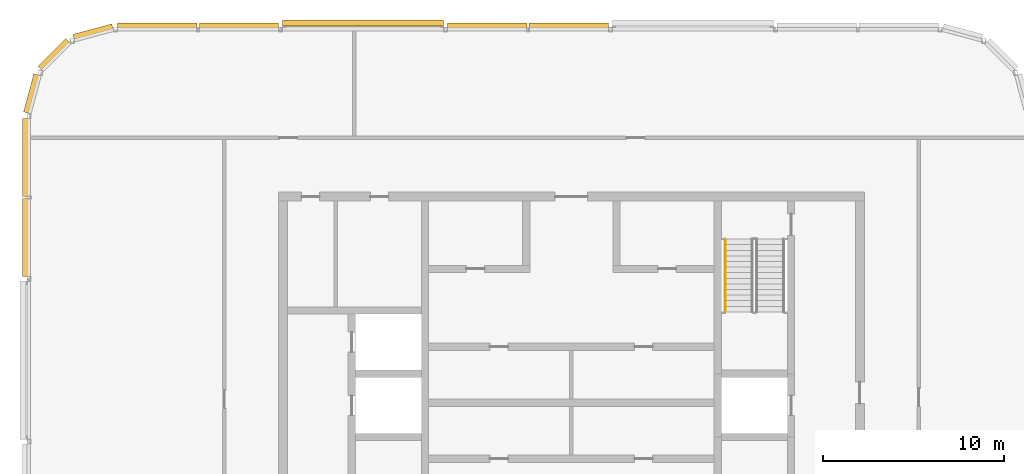
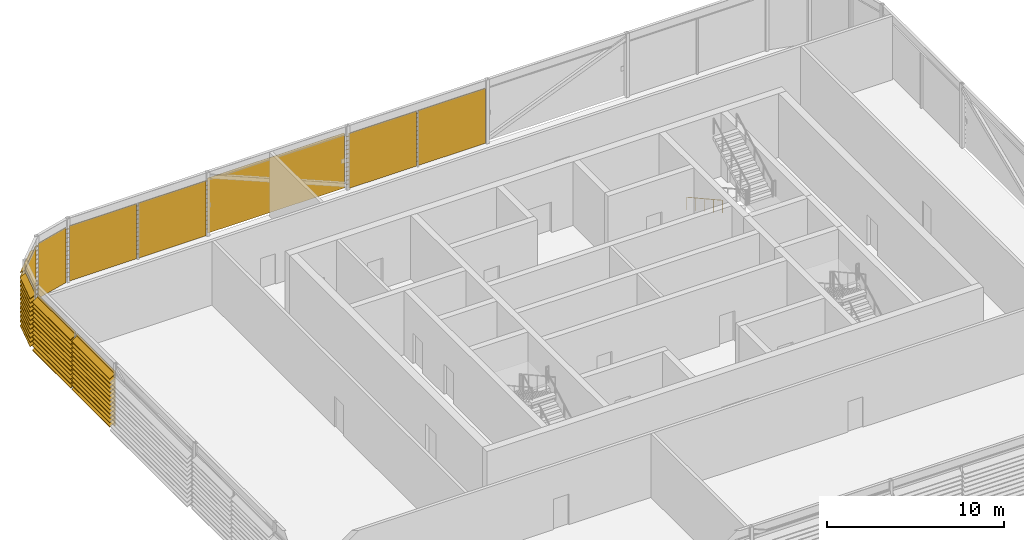
# One storey, part 26 of 27: 10 shading devices, 1 railing.
"""IFC4 building model written with IfcOpenShell, lengths in metres."""

from ifc_helpers import new_model, si_unit, direction, frame, origin, origin_2d, place, context, subcontext, project, spatial, polyline, circle, outline, extrude, material, type_object, element, save


model = new_model("IFC4")

# Units and contexts
model_context = context("Model", 3, precision=1e-05, world=origin(), true_north=direction((0.0, 1.0)))
body_context = subcontext(model_context, "Body", "Model", "MODEL_VIEW")
ifc_project = project(units=[si_unit("LENGTHUNIT", "METRE"), si_unit("AREAUNIT", "SQUARE_METRE"), si_unit("VOLUMEUNIT", "CUBIC_METRE"), si_unit("PLANEANGLEUNIT", "RADIAN"), si_unit("MASSUNIT", "GRAM", prefix="KILO")], contexts=[model_context])

# Site, building, storey
site_placement = place(None, origin())
site = spatial("IfcSite", under=ifc_project, at=site_placement, CompositionType="ELEMENT")
building_placement = place(site_placement, origin())
building = spatial("IfcBuilding", under=site, at=building_placement, Name="Madar Terraces", CompositionType="ELEMENT")
storey_placement = place(building_placement, frame((0.0, 0.0, 301.10009765625)))
storey = spatial("IfcBuildingStorey", under=building, at=storey_placement, Name="L78", CompositionType="ELEMENT", Elevation=301.10009765625)

# Shading devices
ifc_material_1 = material(Name="Aluminium, black anodised", Category="aluminium")
shading_device_type = type_object("IfcShadingDeviceType", Name="Crown louvre bank", PredefinedType="USERDEFINED", material=ifc_material_1)
shading_device_1_placement = place(storey_placement, frame((33.25830078125, 46.800048828125, 0.0), z_axis=(-1.0, 0.0, 0.0), x_axis=(0.0, -1.0, 0.0)))
element("IfcShadingDevice", 1, at=shading_device_1_placement, inside=storey, type_object=shading_device_type, Name="LOUVRE bank L78 18.1", ObjectType="LOUVRE", PredefinedType="USERDEFINED", context=body_context, shape_type="SweptSolid", body=[
    extrude(outline(polyline([(0.014892578125, 0.0), (-0.014892578125, 0.0), (-0.014892578125, 0.24951171875), (-0.3427734375, 0.02001953125), (-0.3427734375, 0.06884765625), (-0.014892578125, 0.29833984375), (-0.014892578125, 0.54931640625), (-0.3427734375, 0.320068359375), (-0.3427734375, 0.368896484375), (-0.014892578125, 0.59814453125), (-0.014892578125, 0.849365234375), (-0.3427734375, 0.6201171875), (-0.3427734375, 0.6689453125), (-0.014892578125, 0.898193359375), (-0.014892578125, 1.1494140625), (-0.3427734375, 0.919921875), (-0.3427734375, 0.96875), (-0.014892578125, 1.1982421875), (-0.014892578125, 1.449462890625), (-0.3427734375, 1.219970703125), (-0.3427734375, 1.268798828125), (-0.014892578125, 1.498291015625), (-0.014892578125, 1.74951171875), (-0.3427734375, 1.52001953125), (-0.3427734375, 1.56884765625), (-0.014892578125, 1.79833984375), (-0.014892578125, 2.04931640625), (-0.3427734375, 1.820068359375), (-0.3427734375, 1.868896484375), (-0.014892578125, 2.09814453125), (-0.014892578125, 2.349365234375), (-0.3427734375, 2.1201171875), (-0.3427734375, 2.1689453125), (-0.014892578125, 2.398193359375), (-0.014892578125, 2.6494140625), (-0.3427734375, 2.419921875), (-0.3427734375, 2.46875), (-0.014892578125, 2.6982421875), (-0.014892578125, 2.949462890625), (-0.3427734375, 2.719970703125), (-0.3427734375, 2.768798828125), (-0.014892578125, 2.998291015625), (-0.014892578125, 3.24951171875), (-0.3427734375, 3.02001953125), (-0.3427734375, 3.06884765625), (-0.014892578125, 3.29833984375), (-0.014892578125, 3.54931640625), (-0.3427734375, 3.320068359375), (-0.3427734375, 3.368896484375), (-0.014892578125, 3.59814453125), (-0.014892578125, 3.798095703125), (0.014892578125, 3.798095703125), (0.014892578125, 0.0)])), origin(), (0.0, 0.0, 1.0), 4.394775390625),
])
shading_device_2_placement = place(storey_placement, frame((28.736572265625, 46.800048828125, 0.0), z_axis=(-1.0, 0.0, 0.0), x_axis=(0.0, -1.0, 0.0)))
element("IfcShadingDevice", 2, at=shading_device_2_placement, inside=storey, type_object=shading_device_type, Name="LOUVRE bank L78 18.2", ObjectType="LOUVRE", PredefinedType="USERDEFINED", context=body_context, shape_type="SweptSolid", body=[
    extrude(outline(polyline([(0.014892578125, 0.0), (-0.014892578125, 0.0), (-0.014892578125, 0.24951171875), (-0.3427734375, 0.02001953125), (-0.3427734375, 0.06884765625), (-0.014892578125, 0.29833984375), (-0.014892578125, 0.54931640625), (-0.3427734375, 0.320068359375), (-0.3427734375, 0.368896484375), (-0.014892578125, 0.59814453125), (-0.014892578125, 0.849365234375), (-0.3427734375, 0.6201171875), (-0.3427734375, 0.6689453125), (-0.014892578125, 0.898193359375), (-0.014892578125, 1.1494140625), (-0.3427734375, 0.919921875), (-0.3427734375, 0.96875), (-0.014892578125, 1.1982421875), (-0.014892578125, 1.449462890625), (-0.3427734375, 1.219970703125), (-0.3427734375, 1.268798828125), (-0.014892578125, 1.498291015625), (-0.014892578125, 1.74951171875), (-0.3427734375, 1.52001953125), (-0.3427734375, 1.56884765625), (-0.014892578125, 1.79833984375), (-0.014892578125, 2.04931640625), (-0.3427734375, 1.820068359375), (-0.3427734375, 1.868896484375), (-0.014892578125, 2.09814453125), (-0.014892578125, 2.349365234375), (-0.3427734375, 2.1201171875), (-0.3427734375, 2.1689453125), (-0.014892578125, 2.398193359375), (-0.014892578125, 2.6494140625), (-0.3427734375, 2.419921875), (-0.3427734375, 2.46875), (-0.014892578125, 2.6982421875), (-0.014892578125, 2.949462890625), (-0.3427734375, 2.719970703125), (-0.3427734375, 2.768798828125), (-0.014892578125, 2.998291015625), (-0.014892578125, 3.24951171875), (-0.3427734375, 3.02001953125), (-0.3427734375, 3.06884765625), (-0.014892578125, 3.29833984375), (-0.014892578125, 3.54931640625), (-0.3427734375, 3.320068359375), (-0.3427734375, 3.368896484375), (-0.014892578125, 3.59814453125), (-0.014892578125, 3.798095703125), (0.014892578125, 3.798095703125), (0.014892578125, 0.0)])), origin(), (0.0, 0.0, 1.0), 4.39501953125),
])
shading_device_3_placement = place(storey_placement, frame((24.138427734375, 46.800048828125, 0.0), z_axis=(-1.0, 0.0, 0.0), x_axis=(0.0, -1.0, 0.0)))
element("IfcShadingDevice", 3, at=shading_device_3_placement, inside=storey, type_object=shading_device_type, Name="LOUVRE bank L78 19.1", ObjectType="LOUVRE", PredefinedType="USERDEFINED", context=body_context, shape_type="SweptSolid", body=[
    extrude(outline(polyline([(-0.156982421875, 0.0), (-0.18701171875, 0.0), (-0.18701171875, 0.24951171875), (-0.5146484375, 0.02001953125), (-0.5146484375, 0.06884765625), (-0.18701171875, 0.29833984375), (-0.18701171875, 0.54931640625), (-0.5146484375, 0.320068359375), (-0.5146484375, 0.368896484375), (-0.18701171875, 0.59814453125), (-0.18701171875, 0.849365234375), (-0.5146484375, 0.6201171875), (-0.5146484375, 0.6689453125), (-0.18701171875, 0.898193359375), (-0.18701171875, 1.1494140625), (-0.5146484375, 0.919921875), (-0.5146484375, 0.96875), (-0.18701171875, 1.1982421875), (-0.18701171875, 1.449462890625), (-0.5146484375, 1.219970703125), (-0.5146484375, 1.268798828125), (-0.18701171875, 1.498291015625), (-0.18701171875, 1.74951171875), (-0.5146484375, 1.52001953125), (-0.5146484375, 1.56884765625), (-0.18701171875, 1.79833984375), (-0.18701171875, 2.04931640625), (-0.5146484375, 1.820068359375), (-0.5146484375, 1.868896484375), (-0.18701171875, 2.09814453125), (-0.18701171875, 2.349365234375), (-0.5146484375, 2.1201171875), (-0.5146484375, 2.1689453125), (-0.18701171875, 2.398193359375), (-0.18701171875, 2.6494140625), (-0.5146484375, 2.419921875), (-0.5146484375, 2.46875), (-0.18701171875, 2.6982421875), (-0.18701171875, 2.949462890625), (-0.5146484375, 2.719970703125), (-0.5146484375, 2.768798828125), (-0.18701171875, 2.998291015625), (-0.18701171875, 3.24951171875), (-0.5146484375, 3.02001953125), (-0.5146484375, 3.06884765625), (-0.18701171875, 3.29833984375), (-0.18701171875, 3.54931640625), (-0.5146484375, 3.320068359375), (-0.5146484375, 3.368896484375), (-0.18701171875, 3.59814453125), (-0.18701171875, 3.798095703125), (-0.156982421875, 3.798095703125), (-0.156982421875, 0.0)])), origin(), (0.0, 0.0, 1.0), 8.916748046875),
])
shading_device_4_placement = place(storey_placement, frame((15.018310546875, 46.800048828125, 0.0), z_axis=(-1.0, 0.0, 0.0), x_axis=(0.0, -1.0, 0.0)))
element("IfcShadingDevice", 4, at=shading_device_4_placement, inside=storey, type_object=shading_device_type, Name="LOUVRE bank L78 20.1", ObjectType="LOUVRE", PredefinedType="USERDEFINED", context=body_context, shape_type="SweptSolid", body=[
    extrude(outline(polyline([(0.014892578125, 0.0), (-0.014892578125, 0.0), (-0.014892578125, 0.24951171875), (-0.3427734375, 0.02001953125), (-0.3427734375, 0.06884765625), (-0.014892578125, 0.29833984375), (-0.014892578125, 0.54931640625), (-0.3427734375, 0.320068359375), (-0.3427734375, 0.368896484375), (-0.014892578125, 0.59814453125), (-0.014892578125, 0.849365234375), (-0.3427734375, 0.6201171875), (-0.3427734375, 0.6689453125), (-0.014892578125, 0.898193359375), (-0.014892578125, 1.1494140625), (-0.3427734375, 0.919921875), (-0.3427734375, 0.96875), (-0.014892578125, 1.1982421875), (-0.014892578125, 1.449462890625), (-0.3427734375, 1.219970703125), (-0.3427734375, 1.268798828125), (-0.014892578125, 1.498291015625), (-0.014892578125, 1.74951171875), (-0.3427734375, 1.52001953125), (-0.3427734375, 1.56884765625), (-0.014892578125, 1.79833984375), (-0.014892578125, 2.04931640625), (-0.3427734375, 1.820068359375), (-0.3427734375, 1.868896484375), (-0.014892578125, 2.09814453125), (-0.014892578125, 2.349365234375), (-0.3427734375, 2.1201171875), (-0.3427734375, 2.1689453125), (-0.014892578125, 2.398193359375), (-0.014892578125, 2.6494140625), (-0.3427734375, 2.419921875), (-0.3427734375, 2.46875), (-0.014892578125, 2.6982421875), (-0.014892578125, 2.949462890625), (-0.3427734375, 2.719970703125), (-0.3427734375, 2.768798828125), (-0.014892578125, 2.998291015625), (-0.014892578125, 3.24951171875), (-0.3427734375, 3.02001953125), (-0.3427734375, 3.06884765625), (-0.014892578125, 3.29833984375), (-0.014892578125, 3.54931640625), (-0.3427734375, 3.320068359375), (-0.3427734375, 3.368896484375), (-0.014892578125, 3.59814453125), (-0.014892578125, 3.798095703125), (0.014892578125, 3.798095703125), (0.014892578125, 0.0)])), origin(), (0.0, 0.0, 1.0), 4.394775390625),
])
shading_device_5_placement = place(storey_placement, frame((10.49658203125, 46.800048828125, 0.0), z_axis=(-1.0, 0.0, 0.0), x_axis=(0.0, -1.0, 0.0)))
element("IfcShadingDevice", 5, at=shading_device_5_placement, inside=storey, type_object=shading_device_type, Name="LOUVRE bank L78 20.2", ObjectType="LOUVRE", PredefinedType="USERDEFINED", context=body_context, shape_type="SweptSolid", body=[
    extrude(outline(polyline([(0.014892578125, 0.0), (-0.014892578125, 0.0), (-0.014892578125, 0.24951171875), (-0.3427734375, 0.02001953125), (-0.3427734375, 0.06884765625), (-0.014892578125, 0.29833984375), (-0.014892578125, 0.54931640625), (-0.3427734375, 0.320068359375), (-0.3427734375, 0.368896484375), (-0.014892578125, 0.59814453125), (-0.014892578125, 0.849365234375), (-0.3427734375, 0.6201171875), (-0.3427734375, 0.6689453125), (-0.014892578125, 0.898193359375), (-0.014892578125, 1.1494140625), (-0.3427734375, 0.919921875), (-0.3427734375, 0.96875), (-0.014892578125, 1.1982421875), (-0.014892578125, 1.449462890625), (-0.3427734375, 1.219970703125), (-0.3427734375, 1.268798828125), (-0.014892578125, 1.498291015625), (-0.014892578125, 1.74951171875), (-0.3427734375, 1.52001953125), (-0.3427734375, 1.56884765625), (-0.014892578125, 1.79833984375), (-0.014892578125, 2.04931640625), (-0.3427734375, 1.820068359375), (-0.3427734375, 1.868896484375), (-0.014892578125, 2.09814453125), (-0.014892578125, 2.349365234375), (-0.3427734375, 2.1201171875), (-0.3427734375, 2.1689453125), (-0.014892578125, 2.398193359375), (-0.014892578125, 2.6494140625), (-0.3427734375, 2.419921875), (-0.3427734375, 2.46875), (-0.014892578125, 2.6982421875), (-0.014892578125, 2.949462890625), (-0.3427734375, 2.719970703125), (-0.3427734375, 2.768798828125), (-0.014892578125, 2.998291015625), (-0.014892578125, 3.24951171875), (-0.3427734375, 3.02001953125), (-0.3427734375, 3.06884765625), (-0.014892578125, 3.29833984375), (-0.014892578125, 3.54931640625), (-0.3427734375, 3.320068359375), (-0.3427734375, 3.368896484375), (-0.014892578125, 3.59814453125), (-0.014892578125, 3.798095703125), (0.014892578125, 3.798095703125), (0.014892578125, 0.0)])), origin(), (0.0, 0.0, 1.0), 4.39501953125),
])
shading_device_6_placement = place(storey_placement, frame((5.87353515625, 46.76611328125, 0.0), z_axis=(-0.965935304808, -0.258783668197, 0.0), x_axis=(0.258783668197, -0.965935304808, 0.0)))
element("IfcShadingDevice", 6, at=shading_device_6_placement, inside=storey, type_object=shading_device_type, Name="LOUVRE bank L78 21.1", ObjectType="LOUVRE", PredefinedType="USERDEFINED", context=body_context, shape_type="SweptSolid", body=[
    extrude(outline(polyline([(0.014892578125, 0.0), (-0.014892578125, 0.0), (-0.014892578125, 0.24951171875), (-0.3427734375, 0.02001953125), (-0.3427734375, 0.06884765625), (-0.014892578125, 0.29833984375), (-0.014892578125, 0.54931640625), (-0.3427734375, 0.320068359375), (-0.3427734375, 0.368896484375), (-0.014892578125, 0.59814453125), (-0.014892578125, 0.849365234375), (-0.3427734375, 0.6201171875), (-0.3427734375, 0.6689453125), (-0.014892578125, 0.898193359375), (-0.014892578125, 1.1494140625), (-0.3427734375, 0.919921875), (-0.3427734375, 0.96875), (-0.014892578125, 1.1982421875), (-0.014892578125, 1.449462890625), (-0.3427734375, 1.219970703125), (-0.3427734375, 1.268798828125), (-0.014892578125, 1.498291015625), (-0.014892578125, 1.74951171875), (-0.3427734375, 1.52001953125), (-0.3427734375, 1.56884765625), (-0.014892578125, 1.79833984375), (-0.014892578125, 2.04931640625), (-0.3427734375, 1.820068359375), (-0.3427734375, 1.868896484375), (-0.014892578125, 2.09814453125), (-0.014892578125, 2.349365234375), (-0.3427734375, 2.1201171875), (-0.3427734375, 2.1689453125), (-0.014892578125, 2.398193359375), (-0.014892578125, 2.6494140625), (-0.3427734375, 2.419921875), (-0.3427734375, 2.46875), (-0.014892578125, 2.6982421875), (-0.014892578125, 2.949462890625), (-0.3427734375, 2.719970703125), (-0.3427734375, 2.768798828125), (-0.014892578125, 2.998291015625), (-0.014892578125, 3.24951171875), (-0.3427734375, 3.02001953125), (-0.3427734375, 3.06884765625), (-0.014892578125, 3.29833984375), (-0.014892578125, 3.54931640625), (-0.3427734375, 3.320068359375), (-0.3427734375, 3.368896484375), (-0.014892578125, 3.59814453125), (-0.014892578125, 3.798095703125), (0.014892578125, 3.798095703125), (0.014892578125, 0.0)])), origin(), (0.0, 0.0, 1.0), 2.22265625),
])
shading_device_7_placement = place(storey_placement, frame((3.485595703125, 46.042724609375, 0.0), z_axis=(-0.707106781187, -0.707106781187, 0.0), x_axis=(0.707106781187, -0.707106781187, 0.0)))
element("IfcShadingDevice", 7, at=shading_device_7_placement, inside=storey, type_object=shading_device_type, Name="LOUVRE bank L78 22.1", ObjectType="LOUVRE", PredefinedType="USERDEFINED", context=body_context, shape_type="SweptSolid", body=[
    extrude(outline(polyline([(0.014892578125, 0.0), (-0.014892578125, 0.0), (-0.014892578125, 0.24951171875), (-0.3427734375, 0.02001953125), (-0.3427734375, 0.06884765625), (-0.014892578125, 0.29833984375), (-0.014892578125, 0.54931640625), (-0.3427734375, 0.320068359375), (-0.3427734375, 0.368896484375), (-0.014892578125, 0.59814453125), (-0.014892578125, 0.849365234375), (-0.3427734375, 0.6201171875), (-0.3427734375, 0.6689453125), (-0.014892578125, 0.898193359375), (-0.014892578125, 1.1494140625), (-0.3427734375, 0.919921875), (-0.3427734375, 0.96875), (-0.014892578125, 1.1982421875), (-0.014892578125, 1.449462890625), (-0.3427734375, 1.219970703125), (-0.3427734375, 1.268798828125), (-0.014892578125, 1.498291015625), (-0.014892578125, 1.74951171875), (-0.3427734375, 1.52001953125), (-0.3427734375, 1.56884765625), (-0.014892578125, 1.79833984375), (-0.014892578125, 2.04931640625), (-0.3427734375, 1.820068359375), (-0.3427734375, 1.868896484375), (-0.014892578125, 2.09814453125), (-0.014892578125, 2.349365234375), (-0.3427734375, 2.1201171875), (-0.3427734375, 2.1689453125), (-0.014892578125, 2.398193359375), (-0.014892578125, 2.6494140625), (-0.3427734375, 2.419921875), (-0.3427734375, 2.46875), (-0.014892578125, 2.6982421875), (-0.014892578125, 2.949462890625), (-0.3427734375, 2.719970703125), (-0.3427734375, 2.768798828125), (-0.014892578125, 2.998291015625), (-0.014892578125, 3.24951171875), (-0.3427734375, 3.02001953125), (-0.3427734375, 3.06884765625), (-0.014892578125, 3.29833984375), (-0.014892578125, 3.54931640625), (-0.3427734375, 3.320068359375), (-0.3427734375, 3.368896484375), (-0.014892578125, 3.59814453125), (-0.014892578125, 3.798095703125), (0.014892578125, 3.798095703125), (0.014892578125, 0.0)])), origin(), (0.0, 0.0, 1.0), 2.161376953125),
])
shading_device_8_placement = place(storey_placement, frame((1.804443359375, 44.256103515625, 0.0), z_axis=(-0.258788169352, -0.965934098893, 0.0), x_axis=(0.965934098893, -0.258788169352, 0.0)))
element("IfcShadingDevice", 8, at=shading_device_8_placement, inside=storey, type_object=shading_device_type, Name="LOUVRE bank L78 23.1", ObjectType="LOUVRE", PredefinedType="USERDEFINED", context=body_context, shape_type="SweptSolid", body=[
    extrude(outline(polyline([(0.014892578125, 0.0), (-0.014892578125, 0.0), (-0.014892578125, 0.24951171875), (-0.3427734375, 0.02001953125), (-0.3427734375, 0.06884765625), (-0.014892578125, 0.29833984375), (-0.014892578125, 0.54931640625), (-0.3427734375, 0.320068359375), (-0.3427734375, 0.368896484375), (-0.014892578125, 0.59814453125), (-0.014892578125, 0.849365234375), (-0.3427734375, 0.6201171875), (-0.3427734375, 0.6689453125), (-0.014892578125, 0.898193359375), (-0.014892578125, 1.1494140625), (-0.3427734375, 0.919921875), (-0.3427734375, 0.96875), (-0.014892578125, 1.1982421875), (-0.014892578125, 1.449462890625), (-0.3427734375, 1.219970703125), (-0.3427734375, 1.268798828125), (-0.014892578125, 1.498291015625), (-0.014892578125, 1.74951171875), (-0.3427734375, 1.52001953125), (-0.3427734375, 1.56884765625), (-0.014892578125, 1.79833984375), (-0.014892578125, 2.04931640625), (-0.3427734375, 1.820068359375), (-0.3427734375, 1.868896484375), (-0.014892578125, 2.09814453125), (-0.014892578125, 2.349365234375), (-0.3427734375, 2.1201171875), (-0.3427734375, 2.1689453125), (-0.014892578125, 2.398193359375), (-0.014892578125, 2.6494140625), (-0.3427734375, 2.419921875), (-0.3427734375, 2.46875), (-0.014892578125, 2.6982421875), (-0.014892578125, 2.949462890625), (-0.3427734375, 2.719970703125), (-0.3427734375, 2.768798828125), (-0.014892578125, 2.998291015625), (-0.014892578125, 3.24951171875), (-0.3427734375, 3.02001953125), (-0.3427734375, 3.06884765625), (-0.014892578125, 3.29833984375), (-0.014892578125, 3.54931640625), (-0.3427734375, 3.320068359375), (-0.3427734375, 3.368896484375), (-0.014892578125, 3.59814453125), (-0.014892578125, 3.798095703125), (0.014892578125, 3.798095703125), (0.014892578125, 0.0)])), origin(), (0.0, 0.0, 1.0), 2.186767578125),
])
shading_device_9_placement = place(storey_placement, frame((1.199951171875, 41.873046875, 0.0), z_axis=(0.0, -1.0, 0.0), x_axis=(1.0, 0.0, 0.0)))
element("IfcShadingDevice", 9, at=shading_device_9_placement, inside=storey, type_object=shading_device_type, Name="LOUVRE bank L78 24.1", ObjectType="LOUVRE", PredefinedType="USERDEFINED", context=body_context, shape_type="SweptSolid", body=[
    extrude(outline(polyline([(0.014892578125, 0.0), (-0.014892578125, 0.0), (-0.014892578125, 0.24951171875), (-0.3427734375, 0.02001953125), (-0.3427734375, 0.06884765625), (-0.014892578125, 0.29833984375), (-0.014892578125, 0.54931640625), (-0.3427734375, 0.320068359375), (-0.3427734375, 0.368896484375), (-0.014892578125, 0.59814453125), (-0.014892578125, 0.849365234375), (-0.3427734375, 0.6201171875), (-0.3427734375, 0.6689453125), (-0.014892578125, 0.898193359375), (-0.014892578125, 1.1494140625), (-0.3427734375, 0.919921875), (-0.3427734375, 0.96875), (-0.014892578125, 1.1982421875), (-0.014892578125, 1.449462890625), (-0.3427734375, 1.219970703125), (-0.3427734375, 1.268798828125), (-0.014892578125, 1.498291015625), (-0.014892578125, 1.74951171875), (-0.3427734375, 1.52001953125), (-0.3427734375, 1.56884765625), (-0.014892578125, 1.79833984375), (-0.014892578125, 2.04931640625), (-0.3427734375, 1.820068359375), (-0.3427734375, 1.868896484375), (-0.014892578125, 2.09814453125), (-0.014892578125, 2.349365234375), (-0.3427734375, 2.1201171875), (-0.3427734375, 2.1689453125), (-0.014892578125, 2.398193359375), (-0.014892578125, 2.6494140625), (-0.3427734375, 2.419921875), (-0.3427734375, 2.46875), (-0.014892578125, 2.6982421875), (-0.014892578125, 2.949462890625), (-0.3427734375, 2.719970703125), (-0.3427734375, 2.768798828125), (-0.014892578125, 2.998291015625), (-0.014892578125, 3.24951171875), (-0.3427734375, 3.02001953125), (-0.3427734375, 3.06884765625), (-0.014892578125, 3.29833984375), (-0.014892578125, 3.54931640625), (-0.3427734375, 3.320068359375), (-0.3427734375, 3.368896484375), (-0.014892578125, 3.59814453125), (-0.014892578125, 3.798095703125), (0.014892578125, 3.798095703125), (0.014892578125, 0.0)])), origin(), (0.0, 0.0, 1.0), 4.3095703125),
])
shading_device_10_placement = place(storey_placement, frame((1.199951171875, 37.4365234375, 0.0), z_axis=(0.0, -1.0, 0.0), x_axis=(1.0, 0.0, 0.0)))
element("IfcShadingDevice", 10, at=shading_device_10_placement, inside=storey, type_object=shading_device_type, Name="LOUVRE bank L78 24.2", ObjectType="LOUVRE", PredefinedType="USERDEFINED", context=body_context, shape_type="SweptSolid", body=[
    extrude(outline(polyline([(0.014892578125, 0.0), (-0.014892578125, 0.0), (-0.014892578125, 0.24951171875), (-0.3427734375, 0.02001953125), (-0.3427734375, 0.06884765625), (-0.014892578125, 0.29833984375), (-0.014892578125, 0.54931640625), (-0.3427734375, 0.320068359375), (-0.3427734375, 0.368896484375), (-0.014892578125, 0.59814453125), (-0.014892578125, 0.849365234375), (-0.3427734375, 0.6201171875), (-0.3427734375, 0.6689453125), (-0.014892578125, 0.898193359375), (-0.014892578125, 1.1494140625), (-0.3427734375, 0.919921875), (-0.3427734375, 0.96875), (-0.014892578125, 1.1982421875), (-0.014892578125, 1.449462890625), (-0.3427734375, 1.219970703125), (-0.3427734375, 1.268798828125), (-0.014892578125, 1.498291015625), (-0.014892578125, 1.74951171875), (-0.3427734375, 1.52001953125), (-0.3427734375, 1.56884765625), (-0.014892578125, 1.79833984375), (-0.014892578125, 2.04931640625), (-0.3427734375, 1.820068359375), (-0.3427734375, 1.868896484375), (-0.014892578125, 2.09814453125), (-0.014892578125, 2.349365234375), (-0.3427734375, 2.1201171875), (-0.3427734375, 2.1689453125), (-0.014892578125, 2.398193359375), (-0.014892578125, 2.6494140625), (-0.3427734375, 2.419921875), (-0.3427734375, 2.46875), (-0.014892578125, 2.6982421875), (-0.014892578125, 2.949462890625), (-0.3427734375, 2.719970703125), (-0.3427734375, 2.768798828125), (-0.014892578125, 2.998291015625), (-0.014892578125, 3.24951171875), (-0.3427734375, 3.02001953125), (-0.3427734375, 3.06884765625), (-0.014892578125, 3.29833984375), (-0.014892578125, 3.54931640625), (-0.3427734375, 3.320068359375), (-0.3427734375, 3.368896484375), (-0.014892578125, 3.59814453125), (-0.014892578125, 3.798095703125), (0.014892578125, 3.798095703125), (0.014892578125, 0.0)])), origin(), (0.0, 0.0, 1.0), 4.3095703125),
])

# Railing
ifc_material_2 = material(Name="Stainless steel railing", Category="steel")
railing_type = type_object("IfcRailingType", Name="Stair handrail 900", PredefinedType="HANDRAIL", material=ifc_material_2)
railing_placement = place(storey_placement, frame((39.699951171875, 35.199951171875, 0.17138671875)))
element("IfcRailing", 11, at=railing_placement, inside=storey, type_object=railing_type, Name="L78 ST2 stair handrail 1", PredefinedType="HANDRAIL", context=body_context, shape_type="SweptSolid", body=[
    extrude(circle(Radius=0.02392578125, at=origin_2d()), frame((0.0, 0.0, 0.8759765625), z_axis=(0.0, -0.875113341371, 0.483918009331), x_axis=(1.0, 0.0, 0.0)), (0.0, 0.0, 1.0), 4.605224609375),
    extrude(circle(Radius=0.02099609375, at=origin_2d()), origin(), (0.0, 0.0, 1.0), 0.851806640625),
    extrude(circle(Radius=0.02099609375, at=origin_2d()), frame((0.0, -1.007568359375, 0.55712890625)), (0.0, 0.0, 1.0), 0.851806640625),
    extrude(circle(Radius=0.02099609375, at=origin_2d()), frame((0.0, -2.01513671875, 1.1142578125)), (0.0, 0.0, 1.0), 0.851806640625),
    extrude(circle(Radius=0.02099609375, at=origin_2d()), frame((0.0, -3.0224609375, 1.67138671875)), (0.0, 0.0, 1.0), 0.851806640625),
    extrude(circle(Radius=0.02099609375, at=origin_2d()), frame((0.0, -4.030029296875, 2.228515625)), (0.0, 0.0, 1.0), 0.851806640625),
])

save(model, "model.ifc")
